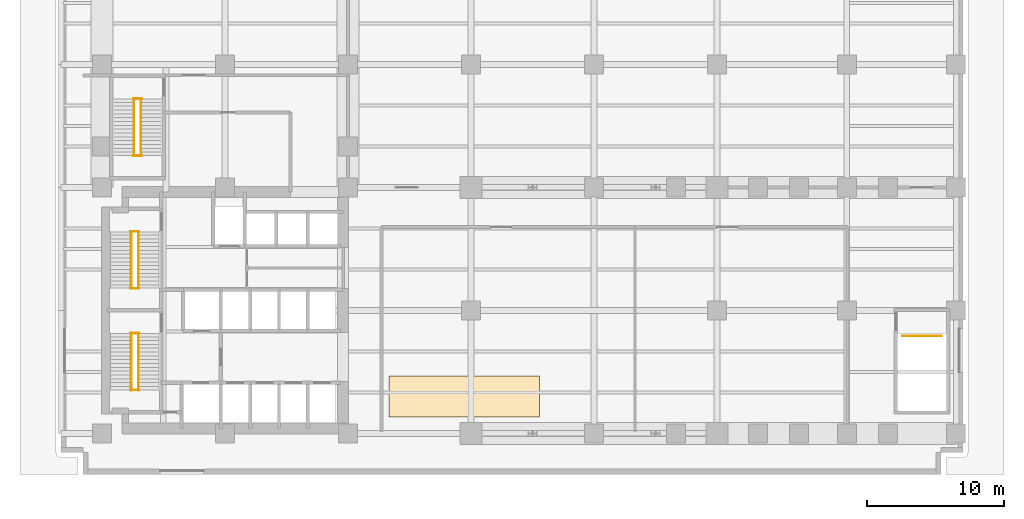
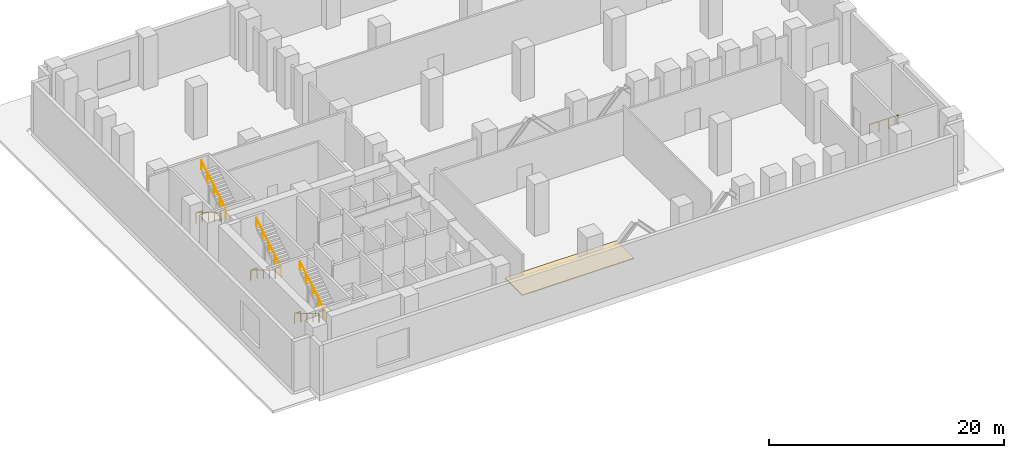
# One storey, part 8 of 8: 13 railings, 1 covering.
"""IFC4 building model written with IfcOpenShell, lengths in metres."""

from ifc_helpers import new_model, si_unit, direction, frame, origin, origin_2d, place, context, subcontext, project, spatial, polyline, circle, outline, extrude, material, layer, layer_set, type_object, element, save


model = new_model("IFC4")

# Units and contexts
model_context = context("Model", 3, precision=1e-05, world=origin(), true_north=direction((0.0, 1.0)))
body_context = subcontext(model_context, "Body", "Model", "MODEL_VIEW")
ifc_project = project(units=[si_unit("LENGTHUNIT", "METRE"), si_unit("AREAUNIT", "SQUARE_METRE"), si_unit("VOLUMEUNIT", "CUBIC_METRE"), si_unit("PLANEANGLEUNIT", "RADIAN"), si_unit("MASSUNIT", "GRAM", prefix="KILO")], contexts=[model_context])

# Site, building, storey
site_placement = place(None, origin())
site = spatial("IfcSite", under=ifc_project, at=site_placement, CompositionType="ELEMENT")
building_placement = place(site_placement, origin())
building = spatial("IfcBuilding", under=site, at=building_placement, Name="Mawjdan Bourse Tower", CompositionType="ELEMENT")
storey_placement = place(building_placement, frame((0.0, 0.0, 16.199951171875)))
storey = spatial("IfcBuildingStorey", under=building, at=storey_placement, Name="L03", CompositionType="ELEMENT", Elevation=16.199951171875)

# Covering
ifc_material_1 = material(Name="Calcium Sulphate Antistatic Raised Floor Tile")
ifc_layer = layer(ifc_material_1, 0.080078125)
ifc_layer_set = layer_set([ifc_layer], Name="Calcium Sulphate Antistatic Raised Floor Tile")
covering_type = type_object("IfcCoveringType", Name="COV-FLR-450", PredefinedType="FLOORING", material=ifc_layer_set)
covering_placement = place(storey_placement, origin())
element("IfcCovering", 1, at=covering_placement, inside=storey, type_object=covering_type, Name="L03 Antistatic Raised Access Trading Floor", PredefinedType="FLOORING", context=body_context, shape_type="SweptSolid", body=[
    extrude(outline(polyline([(27.0, 4.199951171875), (38.0, 4.199951171875), (38.0, 7.199951171875), (27.0, 7.199951171875), (27.0, 4.199951171875)])), origin(), (0.0, 0.0, 1.0), 0.080078125),
])

# Railings
ifc_material_2 = material(Name="Structural Steel S355", Category="steel")
railing_type_1 = type_object("IfcRailingType", Name="RLG-GRD-1100", PredefinedType="GUARDRAIL", material=ifc_material_2)
for number, where, name in (
    (2, (8.090087890625, 6.169921875, 2.699951171875), "L03 ST1 Landing Guardrail GL-MID"),
    (3, (8.090087890625, 10.330078125, 0.0), "L03 ST1 Landing Guardrail GL-BOT"),
    (4, (8.090087890625, 13.610107421875, 2.699951171875), "L03 ST2 Landing Guardrail GL-MID"),
    (5, (8.090087890625, 17.77001953125, 0.0), "L03 ST2 Landing Guardrail GL-BOT"),
    (6, (8.2900390625, 23.320068359375, 2.699951171875), "L03 ST3 Landing Guardrail GL-MID"),
    (7, (8.2900390625, 27.47998046875, 0.0), "L03 ST3 Landing Guardrail GL-BOT"),
):
    element("IfcRailing", number, at=place(storey_placement, frame(where)), inside=storey, type_object=railing_type_1, Name=name, PredefinedType="GUARDRAIL", context=body_context, shape_type="SweptSolid", body=[
        extrude(circle(Radius=0.02490234375, at=origin_2d()), frame((0.0, 0.0, 1.0751953125), z_axis=(1.0, 0.0, 0.0), x_axis=(0.0, 1.0, 0.0)), (0.0, 0.0, 1.0), 0.619873046875),
        extrude(circle(Radius=0.02099609375, at=origin_2d()), origin(), (0.0, 0.0, 1.0), 1.050048828125),
        extrude(circle(Radius=0.02099609375, at=origin_2d()), frame((0.619873046875, 0.0, 0.0)), (0.0, 0.0, 1.0), 1.050048828125),
    ])
railing_1_placement = place(storey_placement, frame((64.580078125, 10.1298828125, 0.0)))
element("IfcRailing", 8, at=railing_1_placement, inside=storey, type_object=railing_type_1, Name="L03 ST6 Top Well Guardrail", PredefinedType="GUARDRAIL", context=body_context, shape_type="SweptSolid", body=[
    extrude(circle(Radius=0.02490234375, at=origin_2d()), frame((0.0, 0.0, 1.0751953125), z_axis=(1.0, 0.0, 0.0), x_axis=(0.0, 1.0, 0.0)), (0.0, 0.0, 1.0), 2.83984375),
    extrude(circle(Radius=0.02099609375, at=origin_2d()), origin(), (0.0, 0.0, 1.0), 1.050048828125),
    extrude(circle(Radius=0.02099609375, at=origin_2d()), frame((0.946533203125, 0.0, 0.0)), (0.0, 0.0, 1.0), 1.050048828125),
    extrude(circle(Radius=0.02099609375, at=origin_2d()), frame((1.893310546875, 0.0, 0.0)), (0.0, 0.0, 1.0), 1.050048828125),
    extrude(circle(Radius=0.02099609375, at=origin_2d()), frame((2.83984375, 0.0, 0.0)), (0.0, 0.0, 1.0), 1.050048828125),
])
ifc_material_3 = material(Name="Brushed Stainless Steel", Category="steel")
railing_type_2 = type_object("IfcRailingType", Name="RLG-HND-920", PredefinedType="HANDRAIL", material=ifc_material_3)
railing_2_placement = place(storey_placement, frame((8.139892578125, 10.35009765625, 0.168701171875)))
element("IfcRailing", 9, at=railing_2_placement, inside=storey, type_object=railing_type_2, Name="L03 ST1 Flight Handrail HR1", PredefinedType="HANDRAIL", context=body_context, shape_type="SweptSolid", body=[
    extrude(circle(Radius=0.0224609375, at=origin_2d()), frame((0.0, 0.0, 0.8974609375), z_axis=(0.0, -0.856489757249, 0.516164020179), x_axis=(1.0, 0.0, 0.0)), (0.0, 0.0, 1.0), 4.904052734375),
    extrude(circle(Radius=0.01904296875, at=origin_2d()), origin(), (0.0, 0.0, 1.0), 0.875),
    extrude(circle(Radius=0.01904296875, at=origin_2d()), frame((0.0, -1.050048828125, 0.6328125)), (0.0, 0.0, 1.0), 0.875),
    extrude(circle(Radius=0.01904296875, at=origin_2d()), frame((0.0, -2.10009765625, 1.265625)), (0.0, 0.0, 1.0), 0.875),
    extrude(circle(Radius=0.01904296875, at=origin_2d()), frame((0.0, -3.150146484375, 1.8984375)), (0.0, 0.0, 1.0), 0.875),
    extrude(circle(Radius=0.01904296875, at=origin_2d()), frame((0.0, -4.2001953125, 2.53125)), (0.0, 0.0, 1.0), 0.875),
])
railing_3_placement = place(storey_placement, frame((8.659912109375, 6.14990234375, 2.868896484375)))
element("IfcRailing", 10, at=railing_3_placement, inside=storey, type_object=railing_type_2, Name="L03 ST1 Flight Handrail HR2", PredefinedType="HANDRAIL", context=body_context, shape_type="SweptSolid", body=[
    extrude(circle(Radius=0.0224609375, at=origin_2d()), frame((0.0, 0.0, 0.8974609375), z_axis=(0.0, 0.856489757249, 0.516164020179), x_axis=(-1.0, 0.0, 0.0)), (0.0, 0.0, 1.0), 4.904052734375),
    extrude(circle(Radius=0.01904296875, at=origin_2d()), origin(), (0.0, 0.0, 1.0), 0.875),
    extrude(circle(Radius=0.01904296875, at=origin_2d()), frame((0.0, 1.050048828125, 0.6328125)), (0.0, 0.0, 1.0), 0.875),
    extrude(circle(Radius=0.01904296875, at=origin_2d()), frame((0.0, 2.10009765625, 1.265625)), (0.0, 0.0, 1.0), 0.875),
    extrude(circle(Radius=0.01904296875, at=origin_2d()), frame((0.0, 3.150146484375, 1.8984375)), (0.0, 0.0, 1.0), 0.875),
    extrude(circle(Radius=0.01904296875, at=origin_2d()), frame((0.0, 4.2001953125, 2.53125)), (0.0, 0.0, 1.0), 0.875),
])
railing_4_placement = place(storey_placement, frame((8.139892578125, 17.7900390625, 0.168701171875)))
element("IfcRailing", 11, at=railing_4_placement, inside=storey, type_object=railing_type_2, Name="L03 ST2 Flight Handrail HR1", PredefinedType="HANDRAIL", context=body_context, shape_type="SweptSolid", body=[
    extrude(circle(Radius=0.0224609375, at=origin_2d()), frame((0.0, 0.0, 0.8974609375), z_axis=(0.0, -0.856476492594, 0.516186030065), x_axis=(1.0, 0.0, 0.0)), (0.0, 0.0, 1.0), 4.90380859375),
    extrude(circle(Radius=0.01904296875, at=origin_2d()), origin(), (0.0, 0.0, 1.0), 0.875),
    extrude(circle(Radius=0.01904296875, at=origin_2d()), frame((0.0, -1.050048828125, 0.6328125)), (0.0, 0.0, 1.0), 0.875),
    extrude(circle(Radius=0.01904296875, at=origin_2d()), frame((0.0, -2.10009765625, 1.265625)), (0.0, 0.0, 1.0), 0.875),
    extrude(circle(Radius=0.01904296875, at=origin_2d()), frame((0.0, -3.14990234375, 1.8984375)), (0.0, 0.0, 1.0), 0.875),
    extrude(circle(Radius=0.01904296875, at=origin_2d()), frame((0.0, -4.199951171875, 2.53125)), (0.0, 0.0, 1.0), 0.875),
])
railing_5_placement = place(storey_placement, frame((8.659912109375, 13.590087890625, 2.868896484375)))
element("IfcRailing", 12, at=railing_5_placement, inside=storey, type_object=railing_type_2, Name="L03 ST2 Flight Handrail HR2", PredefinedType="HANDRAIL", context=body_context, shape_type="SweptSolid", body=[
    extrude(circle(Radius=0.0224609375, at=origin_2d()), frame((0.0, 0.0, 0.8974609375), z_axis=(0.0, 0.856476492594, 0.516186030065), x_axis=(-1.0, 0.0, 0.0)), (0.0, 0.0, 1.0), 4.90380859375),
    extrude(circle(Radius=0.01904296875, at=origin_2d()), origin(), (0.0, 0.0, 1.0), 0.875),
    extrude(circle(Radius=0.01904296875, at=origin_2d()), frame((0.0, 1.050048828125, 0.6328125)), (0.0, 0.0, 1.0), 0.875),
    extrude(circle(Radius=0.01904296875, at=origin_2d()), frame((0.0, 2.10009765625, 1.265625)), (0.0, 0.0, 1.0), 0.875),
    extrude(circle(Radius=0.01904296875, at=origin_2d()), frame((0.0, 3.14990234375, 1.8984375)), (0.0, 0.0, 1.0), 0.875),
    extrude(circle(Radius=0.01904296875, at=origin_2d()), frame((0.0, 4.199951171875, 2.53125)), (0.0, 0.0, 1.0), 0.875),
])
railing_6_placement = place(storey_placement, frame((8.340087890625, 27.5, 0.168701171875)))
element("IfcRailing", 13, at=railing_6_placement, inside=storey, type_object=railing_type_2, Name="L03 ST3 Flight Handrail HR1", PredefinedType="HANDRAIL", context=body_context, shape_type="SweptSolid", body=[
    extrude(circle(Radius=0.0224609375, at=origin_2d()), frame((0.0, 0.0, 0.8974609375), z_axis=(0.0, -0.856476492594, 0.516186030065), x_axis=(1.0, 0.0, 0.0)), (0.0, 0.0, 1.0), 4.90380859375),
    extrude(circle(Radius=0.01904296875, at=origin_2d()), origin(), (0.0, 0.0, 1.0), 0.875),
    extrude(circle(Radius=0.01904296875, at=origin_2d()), frame((0.0, -1.050048828125, 0.6328125)), (0.0, 0.0, 1.0), 0.875),
    extrude(circle(Radius=0.01904296875, at=origin_2d()), frame((0.0, -2.10009765625, 1.265625)), (0.0, 0.0, 1.0), 0.875),
    extrude(circle(Radius=0.01904296875, at=origin_2d()), frame((0.0, -3.14990234375, 1.8984375)), (0.0, 0.0, 1.0), 0.875),
    extrude(circle(Radius=0.01904296875, at=origin_2d()), frame((0.0, -4.199951171875, 2.53125)), (0.0, 0.0, 1.0), 0.875),
])
railing_7_placement = place(storey_placement, frame((8.860107421875, 23.300048828125, 2.868896484375)))
element("IfcRailing", 14, at=railing_7_placement, inside=storey, type_object=railing_type_2, Name="L03 ST3 Flight Handrail HR2", PredefinedType="HANDRAIL", context=body_context, shape_type="SweptSolid", body=[
    extrude(circle(Radius=0.0224609375, at=origin_2d()), frame((0.0, 0.0, 0.8974609375), z_axis=(0.0, 0.856476492594, 0.516186030065), x_axis=(-1.0, 0.0, 0.0)), (0.0, 0.0, 1.0), 4.90380859375),
    extrude(circle(Radius=0.01904296875, at=origin_2d()), origin(), (0.0, 0.0, 1.0), 0.875),
    extrude(circle(Radius=0.01904296875, at=origin_2d()), frame((0.0, 1.050048828125, 0.6328125)), (0.0, 0.0, 1.0), 0.875),
    extrude(circle(Radius=0.01904296875, at=origin_2d()), frame((0.0, 2.10009765625, 1.265625)), (0.0, 0.0, 1.0), 0.875),
    extrude(circle(Radius=0.01904296875, at=origin_2d()), frame((0.0, 3.14990234375, 1.8984375)), (0.0, 0.0, 1.0), 0.875),
    extrude(circle(Radius=0.01904296875, at=origin_2d()), frame((0.0, 4.199951171875, 2.53125)), (0.0, 0.0, 1.0), 0.875),
])

save(model, "model.ifc")
